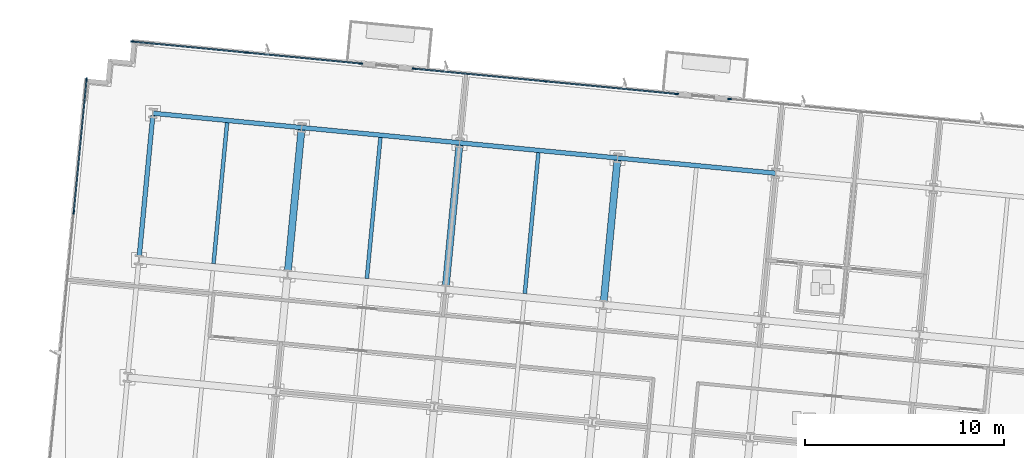
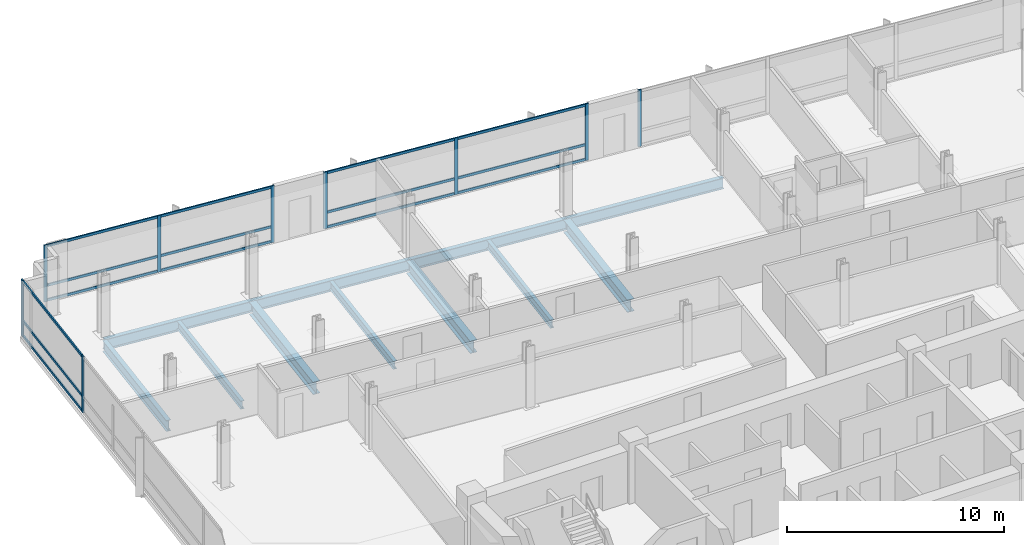
# One storey, part 7 of 17: 24 members, 11 beams, 4 elements without a shape of their own.
"""IFC4 building model written with IfcOpenShell, lengths in metres."""

import ifcopenshell
import ifcopenshell.guid

model = None  # the IFC model being written
_history = None  # IfcOwnerHistory: only IFC2X3 demands one
_inside = {}  # id of a spatial element -> (the spatial element, [elements in it])
_under = {}  # id of a project, library or spatial element -> (it, [spatial elements below it])
_declared = {}  # id of a project -> (the project, [libraries it declares])
_typed = {}  # id of a type object -> (the type object, [elements of that type])
_made_of = {}  # id of a material, layer set ... -> (it, [elements and type objects made of it])


def new_model(schema):
    """Start an empty IFC model of exactly this schema.

    Asked for "IFC4X3", IfcOpenShell would pick the latest addendum, in which some entities
    have other attributes; the version numbers below select the first issue.
    IFC2X3 requires an IfcOwnerHistory on every rooted entity: one is made here for all.
    """
    global model, _history
    if schema == "IFC4X3":
        model = ifcopenshell.file(schema_version=(4, 3, 0, 0))
    else:
        model = ifcopenshell.file(schema=schema)
    _inside.clear()
    _under.clear()
    _declared.clear()
    _typed.clear()
    _made_of.clear()
    _history = None
    if model.schema == "IFC2X3":
        org = make("IfcOrganization", Name="unknown")
        user = make(
            "IfcPersonAndOrganization",
            ThePerson=make("IfcPerson", FamilyName="unknown"),
            TheOrganization=org,
        )
        app = make(
            "IfcApplication",
            ApplicationDeveloper=org,
            Version="unknown",
            ApplicationFullName="unknown",
            ApplicationIdentifier="unknown",
        )
        _history = make(
            "IfcOwnerHistory",
            OwningUser=user,
            OwningApplication=app,
            ChangeAction="ADDED",
            CreationDate=0,
        )
    return model


def make(cls, **values):
    """One entity of the class cls with the attributes given. An attribute that is None is left unset."""
    return model.create_entity(
        cls, **{name: value for name, value in values.items() if value is not None}
    )


def rooted(cls, **values):
    """An entity with a GlobalId (a new one), such as an element, a storey or a relation."""
    return make(cls, GlobalId=ifcopenshell.guid.new(), OwnerHistory=_history, **values)


def si_unit(unit_type, name, prefix=None):
    """IfcSIUnit, for example si_unit("LENGTHUNIT", "METRE", prefix="MILLI")."""
    return make("IfcSIUnit", UnitType=unit_type, Prefix=prefix, Name=name)


def assignment(units):
    """IfcUnitAssignment: the units of a project."""
    return None if units is None else make("IfcUnitAssignment", Units=units)


def point(xyz):
    """IfcCartesianPoint."""
    return None if xyz is None else make("IfcCartesianPoint", Coordinates=xyz)


def direction(xyz):
    """IfcDirection."""
    return None if xyz is None else make("IfcDirection", DirectionRatios=xyz)


def frame(location, z_axis=None, x_axis=None):
    """IfcAxis2Placement3D, a coordinate frame: its origin and axes. An axis left out is left unset."""
    return make(
        "IfcAxis2Placement3D",
        Location=point(location),
        Axis=direction(z_axis),
        RefDirection=direction(x_axis),
    )


def frame_2d(location, x_axis=None):
    """IfcAxis2Placement2D, a coordinate frame in the plane: its origin and x axis."""
    return make(
        "IfcAxis2Placement2D", Location=point(location), RefDirection=direction(x_axis)
    )


def origin():
    """The frame at (0, 0, 0) with its axes left unset."""
    return frame((0.0, 0.0, 0.0))


def origin_2d():
    """The frame at (0, 0) in the plane with its x axis left unset."""
    return frame_2d((0.0, 0.0))


def place(relative_to, where):
    """IfcLocalPlacement: puts the frame where relative to a parent placement (None: the world)."""
    return make(
        "IfcLocalPlacement", PlacementRelTo=relative_to, RelativePlacement=where
    )


def context(
    kind, dimensions, precision=None, world=None, true_north=None, identifier=None
):
    """IfcGeometricRepresentationContext, for example the 3D "Model" context."""
    return make(
        "IfcGeometricRepresentationContext",
        ContextIdentifier=identifier,
        ContextType=kind,
        CoordinateSpaceDimension=dimensions,
        Precision=precision,
        WorldCoordinateSystem=world,
        TrueNorth=true_north,
    )


def subcontext(parent, identifier, kind, view, scale=None):
    """IfcGeometricRepresentationSubContext, for example "Body" below "Model"."""
    return make(
        "IfcGeometricRepresentationSubContext",
        ContextIdentifier=identifier,
        ContextType=kind,
        ParentContext=parent,
        TargetScale=scale,
        TargetView=view,
    )


def project(units=None, contexts=None):
    """IfcProject with its units and contexts."""
    return rooted(
        "IfcProject",
        Name="project",
        RepresentationContexts=contexts,
        UnitsInContext=assignment(units),
    )


def spatial(cls, under=None, at=None, **own):
    """A site, building, storey or space (cls), placed at a placement, below another one or the project."""
    s = rooted(cls, ObjectPlacement=at, **own)
    if under is not None:
        _under.setdefault(under.id(), (under, []))[1].append(s)
    return s


def profile(cls, at=None, kind="AREA", **sizes):
    """A parametric profile (cls). Its sizes go by their IFC names, for example OverallWidth=200.0."""
    return make(cls, ProfileType=kind, Position=at, **sizes)


def rectangle(**sizes):
    """IfcRectangleProfileDef."""
    return profile("IfcRectangleProfileDef", **sizes)


def i_section(**sizes):
    """IfcIShapeProfileDef."""
    return profile("IfcIShapeProfileDef", **sizes)


def extrude(swept, where, along, depth):
    """IfcExtrudedAreaSolid: the profile swept, set in the frame where, extruded along a direction by depth."""
    return make(
        "IfcExtrudedAreaSolid",
        SweptArea=swept,
        Position=where,
        ExtrudedDirection=direction(along),
        Depth=depth,
    )


def shape(context_of_items, identifier, shape_type, items):
    """IfcShapeRepresentation: the items that make up one representation, for example the "Body"."""
    return make(
        "IfcShapeRepresentation",
        ContextOfItems=context_of_items,
        RepresentationIdentifier=identifier,
        RepresentationType=shape_type,
        Items=items,
    )


def material(Name=None, Category=None):
    """IfcMaterial."""
    return make("IfcMaterial", Name=Name, Category=Category)


def material_profile(
    of_material, cross_section, Name=None, Category=None, Priority=None
):
    """IfcMaterialProfile: a cross section and its material."""
    return make(
        "IfcMaterialProfile",
        Name=Name,
        Material=of_material,
        Profile=cross_section,
        Priority=Priority,
        Category=Category,
    )


def profile_set(profiles, Name=None, composite=None):
    """IfcMaterialProfileSet."""
    return make(
        "IfcMaterialProfileSet",
        Name=Name,
        MaterialProfiles=profiles,
        CompositeProfile=composite,
    )


def made_of(thing, what):
    """Note that an element or type object is made of a material, layer set ...; save() writes the relation."""
    if what is not None:
        _made_of.setdefault(what.id(), (what, []))[1].append(thing)
    return thing


def type_object(cls, material=None, **own):
    """A type object (cls), such as IfcWallType, which elements share."""
    return made_of(rooted(cls, **own), material)


def element(
    cls,
    number,
    at=None,
    inside=None,
    cuts=None,
    type_object=None,
    material=None,
    context=None,
    identifier="Body",
    shape_type=None,
    held_by="IfcProductDefinitionShape",
    body=None,
    shapes=None,
    **own,
):
    """One element of the class cls, such as IfcWall. Its Tag is "e" and its number.

    at: its placement. inside: the storey or other place that contains it. cuts: it is an
    opening in that element (IfcRelVoidsElement). A single representation is given by context,
    identifier, shape_type and body (its items); several are given by shapes. held_by: the class
    of the entity that holds the representations. save() writes the other relations.
    """
    e = rooted(cls, Tag="e%d" % number, ObjectPlacement=at, **own)
    if body is not None:
        shapes = [shape(context, identifier, shape_type, body)]
    if shapes is not None:
        e.Representation = make(held_by, Representations=shapes)
    if inside is not None:
        _inside.setdefault(inside.id(), (inside, []))[1].append(e)
    if cuts is not None:
        rooted(
            "IfcRelVoidsElement", RelatingBuildingElement=cuts, RelatedOpeningElement=e
        )
    if type_object is not None:
        _typed.setdefault(type_object.id(), (type_object, []))[1].append(e)
    return made_of(e, material)


def aggregate(whole, parts):
    """IfcRelAggregates: a whole, such as a stair, and the parts it consists of."""
    return rooted("IfcRelAggregates", RelatingObject=whole, RelatedObjects=parts)


def save(model, path):
    """Write the relations noted so far, then the file.

    IfcRelAggregates (storeys below a building ...), IfcRelContainedInSpatialStructure (elements
    in a storey), IfcRelDefinesByType, IfcRelAssociatesMaterial and IfcRelDeclares: one each for
    every whole, place, type object, material and project.
    """
    for whole, parts in _under.values():
        aggregate(whole, parts)
    for where, things in _inside.values():
        rooted(
            "IfcRelContainedInSpatialStructure",
            RelatedElements=things,
            RelatingStructure=where,
        )
    for kind, things in _typed.values():
        rooted("IfcRelDefinesByType", RelatedObjects=things, RelatingType=kind)
    for what, things in _made_of.values():
        rooted("IfcRelAssociatesMaterial", RelatedObjects=things, RelatingMaterial=what)
    for by, libraries in _declared.values():
        rooted("IfcRelDeclares", RelatingContext=by, RelatedDefinitions=libraries)
    model.write(path)


model = new_model("IFC4")

# Units and contexts
model_context = context("Model", 3, precision=1e-05, world=origin(), true_north=direction((0.0, 1.0)))
body_context = subcontext(model_context, "Body", "Model", "MODEL_VIEW")
ifc_project = project(units=[si_unit("LENGTHUNIT", "METRE"), si_unit("AREAUNIT", "SQUARE_METRE"), si_unit("VOLUMEUNIT", "CUBIC_METRE"), si_unit("PLANEANGLEUNIT", "RADIAN"), si_unit("MASSUNIT", "GRAM", prefix="KILO")], contexts=[model_context])

# Site, building, storey
site_placement = place(None, origin())
site = spatial("IfcSite", under=ifc_project, at=site_placement, CompositionType="ELEMENT")
building_placement = place(site_placement, origin())
building = spatial("IfcBuilding", under=site, at=building_placement, Name="Solmavex Isthmus Hotel", CompositionType="ELEMENT")
storey_placement = place(building_placement, frame((0.0, 0.0, 163.5)))
storey = spatial("IfcBuildingStorey", under=building, at=storey_placement, Name="L44", CompositionType="ELEMENT", Elevation=163.5)

# Beams
ifc_material_1 = material(Name="Steel ASTM A992 Grade 50", Category="steel")
ifc_material_profile_1 = material_profile(ifc_material_1, i_section(OverallWidth=0.354736328125, OverallDepth=0.695556640625, WebThickness=0.015380859375, FlangeThickness=0.02490234375, FilletRadius=0.017822265625, at=origin_2d()), Name="W27X146")
ifc_profile_set_1 = profile_set([ifc_material_profile_1], Name="Steel ASTM A992 Grade 50")
beam_type_1 = type_object("IfcBeamType", Name="BM-BG-W27X146", PredefinedType="BEAM", material=ifc_profile_set_1)
beam_1_placement = place(storey_placement, frame((-15.254150390625, 13.07275390625, -0.607666015625), z_axis=(0.095839524498, 0.995396798038, 0.0), x_axis=(-0.995396798038, 0.095839524498, 0.0)))
element("IfcBeam", 1, at=beam_1_placement, inside=storey, type_object=beam_type_1, Name="Floor Beam L44-VG26", PredefinedType="BEAM", context=body_context, shape_type="SweptSolid", body=[
    extrude(i_section(OverallWidth=0.354736328125, OverallDepth=0.695556640625, WebThickness=0.015380859375, FlangeThickness=0.02490234375, FilletRadius=0.017822265625, at=origin_2d()), origin(), (0.0, 0.0, 1.0), 7.099609375),
])
beam_2_placement = place(storey_placement, frame((-7.3349609375, 12.310302734375, -0.607666015625), z_axis=(0.09587687835, 0.9953932008, 0.0), x_axis=(-0.9953932008, 0.09587687835, 0.0)))
element("IfcBeam", 2, at=beam_2_placement, inside=storey, type_object=beam_type_1, Name="Floor Beam L44-VG29", PredefinedType="BEAM", context=body_context, shape_type="SweptSolid", body=[
    extrude(i_section(OverallWidth=0.354736328125, OverallDepth=0.695556640625, WebThickness=0.015380859375, FlangeThickness=0.02490234375, FilletRadius=0.017822265625, at=origin_2d()), origin(), (0.0, 0.0, 1.0), 7.099365234375),
])
beam_3_placement = place(storey_placement, frame((0.58447265625, 11.547607421875, -0.607666015625), z_axis=(0.095839524498, 0.995396798038, 0.0), x_axis=(-0.995396798038, 0.095839524498, 0.0)))
element("IfcBeam", 3, at=beam_3_placement, inside=storey, type_object=beam_type_1, Name="Floor Beam L44-VG32", PredefinedType="BEAM", context=body_context, shape_type="SweptSolid", body=[
    extrude(i_section(OverallWidth=0.354736328125, OverallDepth=0.695556640625, WebThickness=0.015380859375, FlangeThickness=0.02490234375, FilletRadius=0.017822265625, at=origin_2d()), origin(), (0.0, 0.0, 1.0), 7.099609375),
])
ifc_material_profile_2 = material_profile(ifc_material_1, i_section(OverallWidth=0.1904296875, OverallDepth=0.456787109375, WebThickness=0.009033203125, FlangeThickness=0.014404296875, FilletRadius=0.0126953125, at=origin_2d()), Name="W18X50")
ifc_profile_set_2 = profile_set([ifc_material_profile_2], Name="Steel ASTM A992 Grade 50")
beam_type_2 = type_object("IfcBeamType", Name="BM-BJ-W18X50", PredefinedType="JOIST", material=ifc_profile_set_2)
for number, where, z_axis, x_axis, name in (
    (4, (-18.98095703125, 13.431640625, -0.488525390625), (0.095842805175, 0.99539648216, 0.0), (-0.99539648216, 0.095842805175, 0.0), "Secondary Floor Joist L44-J03"),
    (5, (-11.29443359375, 12.691650390625, -0.488525390625), (0.095842805175, 0.99539648216, 0.0), (-0.99539648216, 0.095842805175, 0.0), "Secondary Floor Joist L44-J06"),
    (6, (-3.375244140625, 11.928955078125, -0.488525390625), (0.09587687835, 0.9953932008, 0.0), (-0.9953932008, 0.09587687835, 0.0), "Secondary Floor Joist L44-J09"),
):
    element("IfcBeam", number, at=place(storey_placement, frame(where, z_axis=z_axis, x_axis=x_axis)), inside=storey, type_object=beam_type_2, Name=name, PredefinedType="JOIST", context=body_context, shape_type="SweptSolid", body=[
        extrude(i_section(OverallWidth=0.1904296875, OverallDepth=0.456787109375, WebThickness=0.009033203125, FlangeThickness=0.014404296875, FilletRadius=0.0126953125, at=origin_2d()), origin(), (0.0, 0.0, 1.0), 7.099365234375),
    ])
ifc_material_profile_3 = material_profile(ifc_material_1, i_section(OverallWidth=0.230224609375, OverallDepth=0.617431640625, WebThickness=0.01318359375, FlangeThickness=0.022216796875, FilletRadius=0.01513671875, at=origin_2d()), Name="W24X94")
ifc_profile_set_3 = profile_set([ifc_material_profile_3], Name="Steel ASTM A992 Grade 50")
beam_type_3 = type_object("IfcBeamType", Name="BM-SP-W24X94", PredefinedType="SPANDREL", material=ifc_profile_set_3)
beam_4_placement = place(storey_placement, frame((-22.016357421875, 20.971923828125, -0.56884765625), z_axis=(0.995395279593, -0.095855293875, 0.0), x_axis=(0.095855293875, 0.995395279593, 0.0)))
element("IfcBeam", 7, at=beam_4_placement, inside=storey, type_object=beam_type_3, Name="Floor Girder L44-UG15", PredefinedType="SPANDREL", context=body_context, shape_type="SweptSolid", body=[
    extrude(i_section(OverallWidth=0.230224609375, OverallDepth=0.617431640625, WebThickness=0.01318359375, FlangeThickness=0.022216796875, FilletRadius=0.01513671875, at=origin_2d()), origin(), (0.0, 0.0, 1.0), 7.488037109375),
])
for number, where, z_axis, x_axis, name in (
    (8, (-14.562744140625, 20.254150390625, -0.56884765625), (0.995397440011, -0.095832856685, 0.0), (0.095832856685, 0.995397440011, 0.0), "Floor Girder L44-UG16"),
    (9, (-6.643310546875, 19.49169921875, -0.56884765625), (0.995394512348, -0.095863260885, 0.0), (0.095863260885, 0.995394512348, 0.0), "Floor Girder L44-UG17"),
):
    element("IfcBeam", number, at=place(storey_placement, frame(where, z_axis=z_axis, x_axis=x_axis)), inside=storey, type_object=beam_type_3, Name=name, PredefinedType="SPANDREL", context=body_context, shape_type="SweptSolid", body=[
        extrude(i_section(OverallWidth=0.230224609375, OverallDepth=0.617431640625, WebThickness=0.01318359375, FlangeThickness=0.022216796875, FilletRadius=0.01513671875, at=origin_2d()), origin(), (0.0, 0.0, 1.0), 7.9560546875),
    ])
beam_5_placement = place(storey_placement, frame((1.276123046875, 18.72900390625, -0.56884765625), z_axis=(0.995397158178, -0.095835783981, 0.0), x_axis=(0.095835783981, 0.995397158178, 0.0)))
element("IfcBeam", 10, at=beam_5_placement, inside=storey, type_object=beam_type_3, Name="Floor Girder L44-UG18", PredefinedType="SPANDREL", context=body_context, shape_type="SweptSolid", body=[
    extrude(i_section(OverallWidth=0.230224609375, OverallDepth=0.617431640625, WebThickness=0.01318359375, FlangeThickness=0.022216796875, FilletRadius=0.01513671875, at=origin_2d()), origin(), (0.0, 0.0, 1.0), 7.955810546875),
])
beam_6_placement = place(storey_placement, frame((-22.707763671875, 13.79052734375, -0.56884765625), z_axis=(0.095842805175, 0.99539648216, 0.0), x_axis=(-0.99539648216, 0.095842805175, 0.0)))
element("IfcBeam", 11, at=beam_6_placement, inside=storey, type_object=beam_type_3, Name="Floor Beam L44-VG23", PredefinedType="SPANDREL", context=body_context, shape_type="SweptSolid", body=[
    extrude(i_section(OverallWidth=0.230224609375, OverallDepth=0.617431640625, WebThickness=0.01318359375, FlangeThickness=0.022216796875, FilletRadius=0.01513671875, at=origin_2d()), origin(), (0.0, 0.0, 1.0), 7.099365234375),
])

# Curtain wall, members
ifc_material_2 = material(Name="Aluminium alloy 6063-T6", Category="aluminium")
curtain_wall_type = type_object("IfcCurtainWallType", Name="CW-SYS-03", PredefinedType="NOTDEFINED", material=ifc_material_2)
curtain_wall_1_placement = place(storey_placement, origin())
curtain_wall_1 = element("IfcCurtainWall", 12, at=curtain_wall_1_placement, inside=storey, type_object=curtain_wall_type, Name="Stick Curtain Wall CWL-L44-N1", PredefinedType="NOTDEFINED")
ifc_material_profile_4 = material_profile(ifc_material_2, rectangle(XDim=0.070068359375, YDim=0.179931640625, at=origin_2d()), Name="CWM-70X180")
ifc_profile_set_4 = profile_set([ifc_material_profile_4], Name="Aluminium alloy 6063-T6")
member_type_1 = type_object("IfcMemberType", Name="CW-SYS-03-MUL", PredefinedType="MULLION", material=ifc_profile_set_4)
member_1_placement = place(storey_placement, frame((-23.04150390625, 24.566650390625, 0.0), z_axis=(0.0, 0.0, 1.0), x_axis=(0.095845521008, 0.995396220659, 0.0)))
member_1 = element("IfcMember", 13, at=member_1_placement, type_object=member_type_1, Name="CW-03 mullion 1", PredefinedType="MULLION", context=body_context, shape_type="SweptSolid", body=[
    extrude(rectangle(XDim=0.070068359375, YDim=0.179931640625, at=origin_2d()), origin(), (0.0, 0.0, 1.0), 3.18994140625),
])
member_2_placement = place(storey_placement, frame((-17.31982421875, 24.015869140625, 0.0), z_axis=(0.0, 0.0, 1.0), x_axis=(0.095845521008, 0.995396220659, 0.0)))
member_2 = element("IfcMember", 14, at=member_2_placement, type_object=member_type_1, Name="CW-03 mullion 2", PredefinedType="MULLION", context=body_context, shape_type="SweptSolid", body=[
    extrude(rectangle(XDim=0.070068359375, YDim=0.179931640625, at=origin_2d()), origin(), (0.0, 0.0, 1.0), 3.18994140625),
])
member_3_placement = place(storey_placement, frame((-11.598388671875, 23.46484375, 0.0), z_axis=(0.0, 0.0, 1.0), x_axis=(0.095845521008, 0.995396220659, 0.0)))
member_3 = element("IfcMember", 15, at=member_3_placement, type_object=member_type_1, Name="CW-03 mullion 3", PredefinedType="MULLION", context=body_context, shape_type="SweptSolid", body=[
    extrude(rectangle(XDim=0.070068359375, YDim=0.179931640625, at=origin_2d()), origin(), (0.0, 0.0, 1.0), 3.18994140625),
])

curtain_wall_2_placement = place(storey_placement, origin())
curtain_wall_2 = element("IfcCurtainWall", 16, at=curtain_wall_2_placement, inside=storey, type_object=curtain_wall_type, Name="Stick Curtain Wall CWL-L44-N2", PredefinedType="NOTDEFINED")
member_4_placement = place(storey_placement, frame((-8.940673828125, 23.208984375, 0.0), z_axis=(0.0, 0.0, 1.0), x_axis=(0.095845138178, 0.995396257521, 0.0)))
member_4 = element("IfcMember", 17, at=member_4_placement, type_object=member_type_1, Name="CW-03 mullion 1", PredefinedType="MULLION", context=body_context, shape_type="SweptSolid", body=[
    extrude(rectangle(XDim=0.070068359375, YDim=0.179931640625, at=origin_2d()), origin(), (0.0, 0.0, 1.0), 3.18994140625),
])
member_5_placement = place(storey_placement, frame((-2.35009765625, 22.574462890625, 0.0), z_axis=(0.0, 0.0, 1.0), x_axis=(0.095845138178, 0.995396257521, 0.0)))
member_5 = element("IfcMember", 18, at=member_5_placement, type_object=member_type_1, Name="CW-03 mullion 2", PredefinedType="MULLION", context=body_context, shape_type="SweptSolid", body=[
    extrude(rectangle(XDim=0.070068359375, YDim=0.179931640625, at=origin_2d()), origin(), (0.0, 0.0, 1.0), 3.18994140625),
])
member_6_placement = place(storey_placement, frame((4.240478515625, 21.939697265625, 0.0), z_axis=(0.0, 0.0, 1.0), x_axis=(0.095845138178, 0.995396257521, 0.0)))
member_6 = element("IfcMember", 19, at=member_6_placement, type_object=member_type_1, Name="CW-03 mullion 3", PredefinedType="MULLION", context=body_context, shape_type="SweptSolid", body=[
    extrude(rectangle(XDim=0.070068359375, YDim=0.179931640625, at=origin_2d()), origin(), (0.0, 0.0, 1.0), 3.18994140625),
])

# Curtain wall, member
curtain_wall_3_placement = place(storey_placement, origin())
curtain_wall_3 = element("IfcCurtainWall", 20, at=curtain_wall_3_placement, inside=storey, type_object=curtain_wall_type, Name="Stick Curtain Wall CWL-L44-N3", PredefinedType="NOTDEFINED")
member_7_placement = place(storey_placement, frame((6.898193359375, 21.683837890625, 0.0), z_axis=(0.0, 0.0, 1.0), x_axis=(0.095845735304, 0.995396200025, 0.0)))
member_7 = element("IfcMember", 21, at=member_7_placement, type_object=member_type_1, Name="CW-03 mullion 1", PredefinedType="MULLION", context=body_context, shape_type="SweptSolid", body=[
    extrude(rectangle(XDim=0.070068359375, YDim=0.179931640625, at=origin_2d()), origin(), (0.0, 0.0, 1.0), 3.18994140625),
])
aggregate(curtain_wall_3, [member_7])

# Curtain wall, members
curtain_wall_4_placement = place(storey_placement, origin())
curtain_wall_4 = element("IfcCurtainWall", 22, at=curtain_wall_4_placement, inside=storey, type_object=curtain_wall_type, Name="Stick Curtain Wall CWL-L44-W1", PredefinedType="NOTDEFINED")
member_8_placement = place(storey_placement, frame((-25.990234375, 16.010009765625, 0.0), z_axis=(0.0, 0.0, 1.0), x_axis=(-0.995396190038, 0.09584583902, 0.0)))
member_8 = element("IfcMember", 23, at=member_8_placement, type_object=member_type_1, Name="CW-03 mullion 5", PredefinedType="MULLION", context=body_context, shape_type="SweptSolid", body=[
    extrude(rectangle(XDim=0.070068359375, YDim=0.179931640625, at=origin_2d()), origin(), (0.0, 0.0, 1.0), 3.18994140625),
])
member_9_placement = place(storey_placement, frame((-25.349365234375, 22.6640625, 0.0), z_axis=(0.0, 0.0, 1.0), x_axis=(-0.995396190038, 0.09584583902, 0.0)))
member_9 = element("IfcMember", 24, at=member_9_placement, type_object=member_type_1, Name="CW-03 mullion 6", PredefinedType="MULLION", context=body_context, shape_type="SweptSolid", body=[
    extrude(rectangle(XDim=0.070068359375, YDim=0.179931640625, at=origin_2d()), origin(), (0.0, 0.0, 1.0), 3.18994140625),
])

# Member
ifc_material_profile_5 = material_profile(ifc_material_2, rectangle(XDim=0.070068359375, YDim=0.139892578125, at=origin_2d()), Name="CWT-70X140")
ifc_profile_set_5 = profile_set([ifc_material_profile_5], Name="Aluminium alloy 6063-T6")
member_type_2 = type_object("IfcMemberType", Name="CW-SYS-03-TRN", PredefinedType="USERDEFINED", material=ifc_profile_set_5)
member_10_placement = place(storey_placement, frame((-23.006591796875, 24.563232421875, 0.070068359375), z_axis=(0.995396573568, -0.095841855831, 0.0), x_axis=(0.095841855831, 0.995396573568, 0.0)))
member_10 = element("IfcMember", 25, at=member_10_placement, type_object=member_type_2, Name="CW-03 transom 1.1", ObjectType="TRANSOM", PredefinedType="USERDEFINED", context=body_context, shape_type="SweptSolid", body=[
    extrude(rectangle(XDim=0.070068359375, YDim=0.139892578125, at=origin_2d()), origin(), (0.0, 0.0, 1.0), 5.677978515625),
])

member_11_placement = place(storey_placement, frame((-23.006591796875, 24.563232421875, 0.89990234375), z_axis=(0.995396573568, -0.095841855831, 0.0), x_axis=(0.095841855831, 0.995396573568, 0.0)))
member_11 = element("IfcMember", 26, at=member_11_placement, type_object=member_type_2, Name="CW-03 transom 1.2", ObjectType="TRANSOM", PredefinedType="USERDEFINED", context=body_context, shape_type="SweptSolid", body=[
    extrude(rectangle(XDim=0.070068359375, YDim=0.139892578125, at=origin_2d()), origin(), (0.0, 0.0, 1.0), 5.677978515625),
])

member_12_placement = place(storey_placement, frame((-23.006591796875, 24.563232421875, 3.1201171875), z_axis=(0.995396573568, -0.095841855831, 0.0), x_axis=(0.095841855831, 0.995396573568, 0.0)))
member_12 = element("IfcMember", 27, at=member_12_placement, type_object=member_type_2, Name="CW-03 transom 1.3", ObjectType="TRANSOM", PredefinedType="USERDEFINED", context=body_context, shape_type="SweptSolid", body=[
    extrude(rectangle(XDim=0.070068359375, YDim=0.139892578125, at=origin_2d()), origin(), (0.0, 0.0, 1.0), 5.677978515625),
])

member_13_placement = place(storey_placement, frame((-17.28515625, 24.012451171875, 0.070068359375), z_axis=(0.995396968505, -0.095837753998, 0.0), x_axis=(0.095837753998, 0.995396968505, 0.0)))
member_13 = element("IfcMember", 28, at=member_13_placement, type_object=member_type_2, Name="CW-03 transom 2.1", ObjectType="TRANSOM", PredefinedType="USERDEFINED", context=body_context, shape_type="SweptSolid", body=[
    extrude(rectangle(XDim=0.070068359375, YDim=0.139892578125, at=origin_2d()), origin(), (0.0, 0.0, 1.0), 5.67822265625),
])

member_14_placement = place(storey_placement, frame((-17.28515625, 24.012451171875, 0.89990234375), z_axis=(0.995396968505, -0.095837753998, 0.0), x_axis=(0.095837753998, 0.995396968505, 0.0)))
member_14 = element("IfcMember", 29, at=member_14_placement, type_object=member_type_2, Name="CW-03 transom 2.2", ObjectType="TRANSOM", PredefinedType="USERDEFINED", context=body_context, shape_type="SweptSolid", body=[
    extrude(rectangle(XDim=0.070068359375, YDim=0.139892578125, at=origin_2d()), origin(), (0.0, 0.0, 1.0), 5.67822265625),
])

member_15_placement = place(storey_placement, frame((-17.28515625, 24.012451171875, 3.1201171875), z_axis=(0.995396968505, -0.095837753998, 0.0), x_axis=(0.095837753998, 0.995396968505, 0.0)))
member_15 = element("IfcMember", 30, at=member_15_placement, type_object=member_type_2, Name="CW-03 transom 2.3", ObjectType="TRANSOM", PredefinedType="USERDEFINED", context=body_context, shape_type="SweptSolid", body=[
    extrude(rectangle(XDim=0.070068359375, YDim=0.139892578125, at=origin_2d()), origin(), (0.0, 0.0, 1.0), 5.67822265625),
])

aggregate(curtain_wall_1, [member_1, member_2, member_3, member_10, member_11, member_12, member_13, member_14, member_15])

member_16_placement = place(storey_placement, frame((-8.90576171875, 23.20556640625, 0.070068359375), z_axis=(0.995395431006, -0.095853721538, 0.0), x_axis=(0.095853721538, 0.995395431006, 0.0)))
member_16 = element("IfcMember", 31, at=member_16_placement, type_object=member_type_2, Name="CW-03 transom 1.1", ObjectType="TRANSOM", PredefinedType="USERDEFINED", context=body_context, shape_type="SweptSolid", body=[
    extrude(rectangle(XDim=0.070068359375, YDim=0.139892578125, at=origin_2d()), origin(), (0.0, 0.0, 1.0), 6.551025390625),
])

member_17_placement = place(storey_placement, frame((-8.90576171875, 23.20556640625, 0.89990234375), z_axis=(0.995395431006, -0.095853721538, 0.0), x_axis=(0.095853721538, 0.995395431006, 0.0)))
member_17 = element("IfcMember", 32, at=member_17_placement, type_object=member_type_2, Name="CW-03 transom 1.2", ObjectType="TRANSOM", PredefinedType="USERDEFINED", context=body_context, shape_type="SweptSolid", body=[
    extrude(rectangle(XDim=0.070068359375, YDim=0.139892578125, at=origin_2d()), origin(), (0.0, 0.0, 1.0), 6.551025390625),
])

member_18_placement = place(storey_placement, frame((-8.90576171875, 23.20556640625, 3.1201171875), z_axis=(0.995395431006, -0.095853721538, 0.0), x_axis=(0.095853721538, 0.995395431006, 0.0)))
member_18 = element("IfcMember", 33, at=member_18_placement, type_object=member_type_2, Name="CW-03 transom 1.3", ObjectType="TRANSOM", PredefinedType="USERDEFINED", context=body_context, shape_type="SweptSolid", body=[
    extrude(rectangle(XDim=0.070068359375, YDim=0.139892578125, at=origin_2d()), origin(), (0.0, 0.0, 1.0), 6.551025390625),
])

member_19_placement = place(storey_placement, frame((-2.315185546875, 22.571044921875, 0.070068359375), z_axis=(0.995395431006, -0.095853721538, 0.0), x_axis=(0.095853721538, 0.995395431006, 0.0)))
member_19 = element("IfcMember", 34, at=member_19_placement, type_object=member_type_2, Name="CW-03 transom 2.1", ObjectType="TRANSOM", PredefinedType="USERDEFINED", context=body_context, shape_type="SweptSolid", body=[
    extrude(rectangle(XDim=0.070068359375, YDim=0.139892578125, at=origin_2d()), origin(), (0.0, 0.0, 1.0), 6.551025390625),
])

member_20_placement = place(storey_placement, frame((-2.315185546875, 22.571044921875, 0.89990234375), z_axis=(0.995395431006, -0.095853721538, 0.0), x_axis=(0.095853721538, 0.995395431006, 0.0)))
member_20 = element("IfcMember", 35, at=member_20_placement, type_object=member_type_2, Name="CW-03 transom 2.2", ObjectType="TRANSOM", PredefinedType="USERDEFINED", context=body_context, shape_type="SweptSolid", body=[
    extrude(rectangle(XDim=0.070068359375, YDim=0.139892578125, at=origin_2d()), origin(), (0.0, 0.0, 1.0), 6.551025390625),
])

member_21_placement = place(storey_placement, frame((-2.315185546875, 22.571044921875, 3.1201171875), z_axis=(0.995395431006, -0.095853721538, 0.0), x_axis=(0.095853721538, 0.995395431006, 0.0)))
member_21 = element("IfcMember", 36, at=member_21_placement, type_object=member_type_2, Name="CW-03 transom 2.3", ObjectType="TRANSOM", PredefinedType="USERDEFINED", context=body_context, shape_type="SweptSolid", body=[
    extrude(rectangle(XDim=0.070068359375, YDim=0.139892578125, at=origin_2d()), origin(), (0.0, 0.0, 1.0), 6.551025390625),
])

aggregate(curtain_wall_2, [member_4, member_5, member_6, member_16, member_17, member_18, member_19, member_20, member_21])

member_22_placement = place(storey_placement, frame((-25.98681640625, 16.044677734375, 0.070068359375), z_axis=(0.095845316679, 0.995396240334, 0.0), x_axis=(-0.995396240334, 0.095845316679, 0.0)))
member_22 = element("IfcMember", 37, at=member_22_placement, type_object=member_type_2, Name="CW-03 transom 5.1", ObjectType="TRANSOM", PredefinedType="USERDEFINED", context=body_context, shape_type="SweptSolid", body=[
    extrude(rectangle(XDim=0.070068359375, YDim=0.139892578125, at=origin_2d()), origin(), (0.0, 0.0, 1.0), 6.615234375),
])

member_23_placement = place(storey_placement, frame((-25.98681640625, 16.044677734375, 0.89990234375), z_axis=(0.095845316679, 0.995396240334, 0.0), x_axis=(-0.995396240334, 0.095845316679, 0.0)))
member_23 = element("IfcMember", 38, at=member_23_placement, type_object=member_type_2, Name="CW-03 transom 5.2", ObjectType="TRANSOM", PredefinedType="USERDEFINED", context=body_context, shape_type="SweptSolid", body=[
    extrude(rectangle(XDim=0.070068359375, YDim=0.139892578125, at=origin_2d()), origin(), (0.0, 0.0, 1.0), 6.615234375),
])

member_24_placement = place(storey_placement, frame((-25.98681640625, 16.044677734375, 3.1201171875), z_axis=(0.095845316679, 0.995396240334, 0.0), x_axis=(-0.995396240334, 0.095845316679, 0.0)))
member_24 = element("IfcMember", 39, at=member_24_placement, type_object=member_type_2, Name="CW-03 transom 5.3", ObjectType="TRANSOM", PredefinedType="USERDEFINED", context=body_context, shape_type="SweptSolid", body=[
    extrude(rectangle(XDim=0.070068359375, YDim=0.139892578125, at=origin_2d()), origin(), (0.0, 0.0, 1.0), 6.615234375),
])

aggregate(curtain_wall_4, [member_8, member_9, member_22, member_23, member_24])

save(model, "model.ifc")
